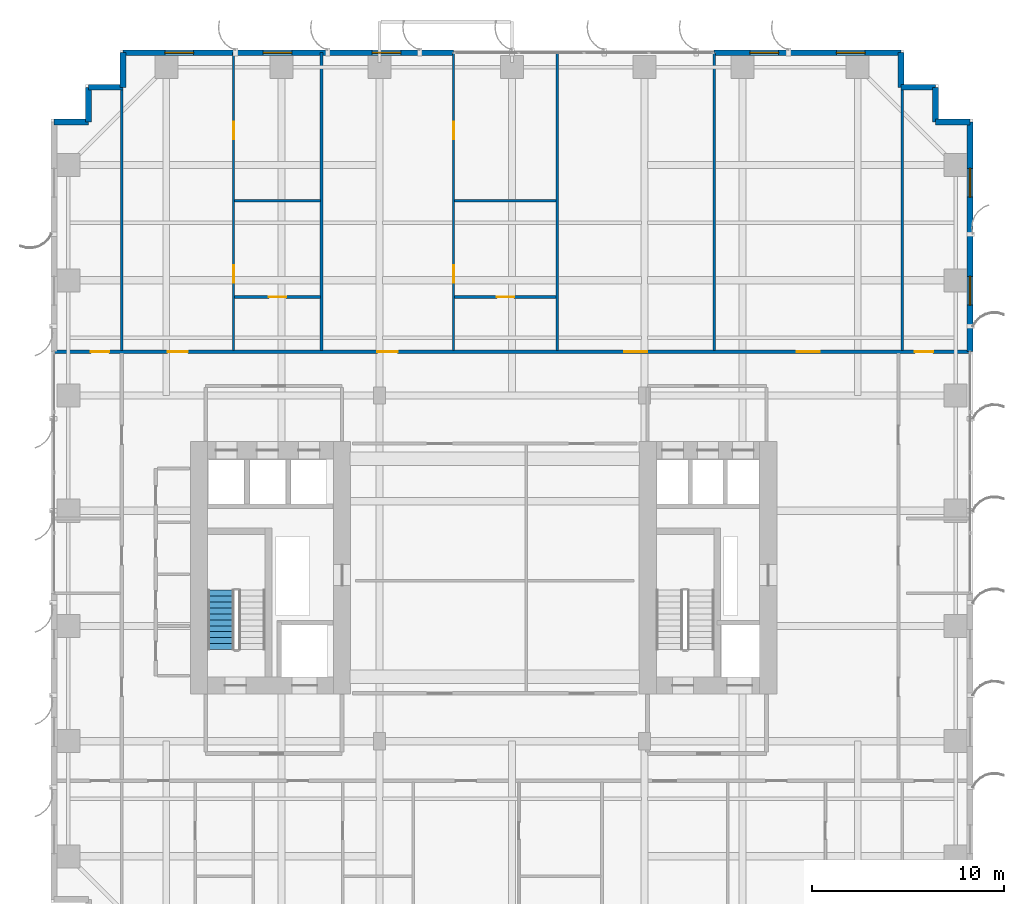
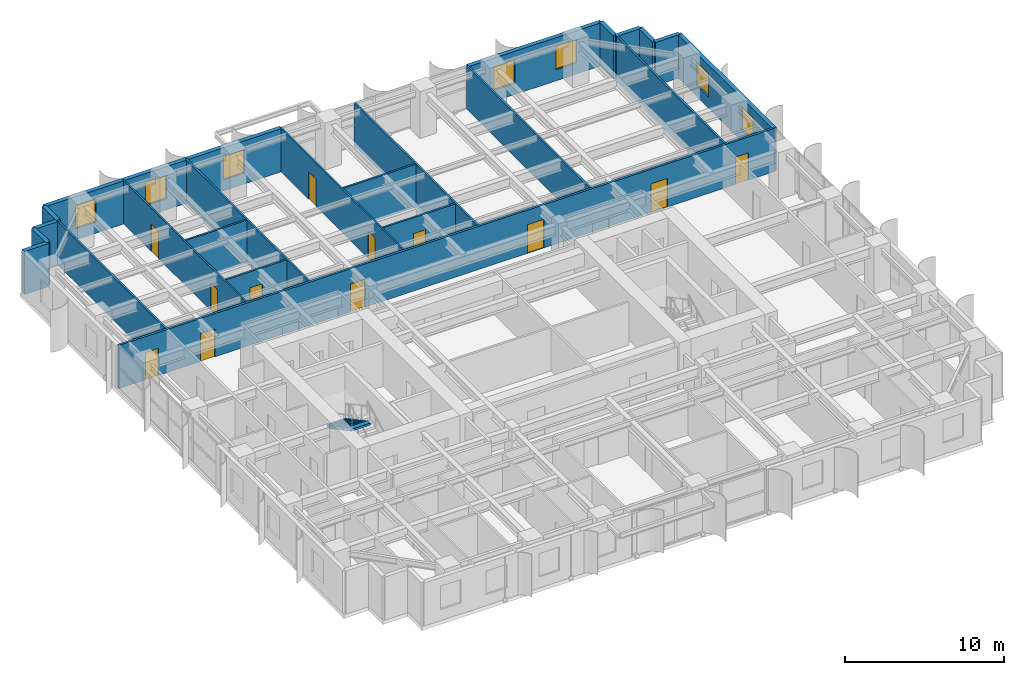
# One storey, part 18 of 22: 23 walls, 12 doors, 7 windows, 1 stair flight, 19 openings, 1 element without a shape of its own.
"""IFC4 building model written with IfcOpenShell, lengths in metres."""

from ifc_helpers import new_model, si_unit, direction, frame, frame_2d, origin, place, context, subcontext, project, spatial, polyline, rectangle, outline, extrude, source, transform, mapped, material, layer, layer_set, type_object, element, fill, aggregate, save


model = new_model("IFC4")

# Units and contexts
model_context = context("Model", 3, precision=1e-05, world=origin(), true_north=direction((0.0, 1.0)))
body_context = subcontext(model_context, "Body", "Model", "MODEL_VIEW")
ifc_project = project(units=[si_unit("LENGTHUNIT", "METRE"), si_unit("AREAUNIT", "SQUARE_METRE"), si_unit("VOLUMEUNIT", "CUBIC_METRE"), si_unit("PLANEANGLEUNIT", "RADIAN"), si_unit("MASSUNIT", "GRAM", prefix="KILO")], contexts=[model_context])

# Site, building, storey
site_placement = place(None, origin())
site = spatial("IfcSite", under=ifc_project, at=site_placement, CompositionType="ELEMENT")
building_placement = place(site_placement, origin())
building = spatial("IfcBuilding", under=site, at=building_placement, Name="Khoralis Quay Care Tower", CompositionType="ELEMENT")
storey_placement = place(building_placement, frame((0.0, 0.0, 44.10009765625)))
storey = spatial("IfcBuildingStorey", under=building, at=storey_placement, Name="L11", CompositionType="ELEMENT", Elevation=44.10009765625)

# Wall, openings, doors
ifc_material_1 = material(Name="Gypsum plasterboard on acoustic metal stud")
ifc_layer_1 = layer(ifc_material_1, 0.1650390625)
ifc_layer_set_1 = layer_set([ifc_layer_1], Name="Gypsum plasterboard on acoustic metal stud")
wall_type_1 = type_object("IfcWallType", Name="WL-CORR-165", PredefinedType="PARTITIONING", material=ifc_layer_set_1)
wall_1_placement = place(storey_placement, frame((0.14501953125, 32.280029296875, 0.0), z_axis=(0.0, 0.0, 1.0), x_axis=(1.0, 0.0, 0.0)))
wall_1 = element("IfcWall", 1, at=wall_1_placement, inside=storey, type_object=wall_type_1, Name="L11 North Main Corridor Wall", PredefinedType="PARTITIONING", context=body_context, shape_type="SweptSolid", body=[
    extrude(rectangle(XDim=47.7099609375, YDim=0.1650390625, at=frame_2d((23.85498046875, 0.0))), origin(), (0.0, 0.0, 1.0), 3.31982421875),
])
opening_1_placement = place(wall_1_placement, frame((5.922119140625, 0.0, 0.0)))
opening_1 = element("IfcOpeningElement", 2, at=opening_1_placement, cuts=wall_1, Name="Opening UD1", PredefinedType="OPENING", context=body_context, shape_type="SweptSolid", body=[
    extrude(rectangle(XDim=1.050048828125, YDim=2.14990234375, at=frame_2d((0.52490234375, 1.074951171875))), frame((0.0, 0.092529296875, 0.0), z_axis=(0.0, -1.0, 0.0), x_axis=(1.0, 0.0, 0.0)), (0.0, 0.0, 1.0), 0.18505859375),
])
opening_2_placement = place(wall_1_placement, frame((16.848388671875, 0.0, 0.0)))
opening_2 = element("IfcOpeningElement", 3, at=opening_2_placement, cuts=wall_1, Name="Opening UD1", PredefinedType="OPENING", context=body_context, shape_type="SweptSolid", body=[
    extrude(rectangle(XDim=1.050048828125, YDim=2.14990234375, at=frame_2d((0.52490234375, 1.074951171875))), frame((0.0, 0.092529296875, 0.0), z_axis=(0.0, -1.0, 0.0), x_axis=(1.0, 0.0, 0.0)), (0.0, 0.0, 1.0), 0.18505859375),
])
opening_3_placement = place(wall_1_placement, frame((29.699951171875, 0.0, 0.0)))
opening_3 = element("IfcOpeningElement", 4, at=opening_3_placement, cuts=wall_1, Name="Opening FD1", PredefinedType="OPENING", context=body_context, shape_type="SweptSolid", body=[
    extrude(rectangle(XDim=1.199951171875, YDim=2.199951171875, at=frame_2d((0.60009765625, 1.10009765625))), frame((0.0, 0.092529296875, 0.0), z_axis=(0.0, -1.0, 0.0), x_axis=(1.0, 0.0, 0.0)), (0.0, 0.0, 1.0), 0.18505859375),
])
opening_4_placement = place(wall_1_placement, frame((38.679931640625, 0.0, 0.0)))
opening_4 = element("IfcOpeningElement", 5, at=opening_4_placement, cuts=wall_1, Name="Opening FD1", PredefinedType="OPENING", context=body_context, shape_type="SweptSolid", body=[
    extrude(rectangle(XDim=1.199951171875, YDim=2.199951171875, at=frame_2d((0.60009765625, 1.10009765625))), frame((0.0, 0.092529296875, 0.0), z_axis=(0.0, -1.0, 0.0), x_axis=(1.0, 0.0, 0.0)), (0.0, 0.0, 1.0), 0.18505859375),
])
opening_5_placement = place(wall_1_placement, frame((1.919921875, 0.0, 0.0)))
opening_5 = element("IfcOpeningElement", 6, at=opening_5_placement, cuts=wall_1, Name="Opening ID1", PredefinedType="OPENING", context=body_context, shape_type="SweptSolid", body=[
    extrude(rectangle(XDim=0.949951171875, YDim=2.10009765625, at=frame_2d((0.47509765625, 1.050048828125))), frame((0.0, 0.092529296875, 0.0), z_axis=(0.0, -1.0, 0.0), x_axis=(1.0, 0.0, 0.0)), (0.0, 0.0, 1.0), 0.18505859375),
])
opening_6_placement = place(wall_1_placement, frame((44.840087890625, 0.0, 0.0)))
opening_6 = element("IfcOpeningElement", 7, at=opening_6_placement, cuts=wall_1, Name="Opening ID1", PredefinedType="OPENING", context=body_context, shape_type="SweptSolid", body=[
    extrude(rectangle(XDim=0.949951171875, YDim=2.10009765625, at=frame_2d((0.47509765625, 1.050048828125))), frame((0.0, 0.092529296875, 0.0), z_axis=(0.0, -1.0, 0.0), x_axis=(1.0, 0.0, 0.0)), (0.0, 0.0, 1.0), 0.18505859375),
])
ifc_material_2 = material(Name="Fire-rated painted steel", Category="steel")
door_type_1 = type_object("IfcDoorType", Name="DR-FFL-1200X2200", OperationType="NOTDEFINED", PredefinedType="DOOR", material=ifc_material_2)
shared_shape_1 = source(origin(), body_context, "Body", "SweptSolid", [
    extrude(rectangle(XDim=1.199951171875, YDim=2.199951171875, at=frame_2d((0.60009765625, 1.10009765625))), frame((0.0, 0.02490234375, 0.0), z_axis=(0.0, -1.0, 0.0), x_axis=(1.0, 0.0, 0.0)), (0.0, 0.0, 1.0), 0.050048828125),
])
door_1_placement = place(opening_3_placement, origin())
door_1 = element("IfcDoor", 8, at=door_1_placement, inside=storey, type_object=door_type_1, Name="L11 Assisted Communal Dining Room Door", OperationType="DOUBLE_DOOR_SINGLE_SWING", OverallHeight=2.199951171875, OverallWidth=1.199951171875, PredefinedType="DOOR", context=body_context, shape_type="MappedRepresentation", body=[
    mapped(shared_shape_1, transform((0.0, 0.0, 0.0), scale=1.0)),
])
fill(opening_3, door_1)
door_2_placement = place(opening_4_placement, origin())
door_2 = element("IfcDoor", 9, at=door_2_placement, inside=storey, type_object=door_type_1, Name="L11 Resident Communal Day Lounge Door", OperationType="DOUBLE_DOOR_SINGLE_SWING", OverallHeight=2.199951171875, OverallWidth=1.199951171875, PredefinedType="DOOR", context=body_context, shape_type="MappedRepresentation", body=[
    mapped(shared_shape_1, transform((0.0, 0.0, 0.0), scale=1.0)),
])
fill(opening_4, door_2)
ifc_material_3 = material(Name="Acoustic hardwood timber", Category="wood")
door_type_2 = type_object("IfcDoorType", Name="DR-ROOM-950X2100", OperationType="NOTDEFINED", PredefinedType="DOOR", material=ifc_material_3)
shared_shape_2 = source(origin(), body_context, "Body", "SweptSolid", [
    extrude(rectangle(XDim=0.949951171875, YDim=2.10009765625, at=frame_2d((0.47509765625, 1.050048828125))), frame((0.0, 0.02490234375, 0.0), z_axis=(0.0, -1.0, 0.0), x_axis=(1.0, 0.0, 0.0)), (0.0, 0.0, 1.0), 0.050048828125),
])
door_3_placement = place(opening_5_placement, origin())
door_3 = element("IfcDoor", 10, at=door_3_placement, inside=storey, type_object=door_type_2, Name="L11 NW Corner Door", OperationType="SINGLE_SWING_RIGHT", OverallHeight=2.10009765625, OverallWidth=0.949951171875, PredefinedType="DOOR", context=body_context, shape_type="MappedRepresentation", body=[
    mapped(shared_shape_2, transform((0.0, 0.0, 0.0), scale=1.0)),
])
fill(opening_5, door_3)
door_4_placement = place(opening_6_placement, origin())
door_4 = element("IfcDoor", 11, at=door_4_placement, inside=storey, type_object=door_type_2, Name="L11 NE Corner Door", OperationType="SINGLE_SWING_LEFT", OverallHeight=2.10009765625, OverallWidth=0.949951171875, PredefinedType="DOOR", context=body_context, shape_type="MappedRepresentation", body=[
    mapped(shared_shape_2, transform((0.0, 0.0, 0.0), scale=1.0)),
])
fill(opening_6, door_4)
door_type_3 = type_object("IfcDoorType", Name="DR-SUITE-1050X2150", OperationType="NOTDEFINED", PredefinedType="DOOR", material=ifc_material_3)
shared_shape_3 = source(origin(), body_context, "Body", "SweptSolid", [
    extrude(rectangle(XDim=1.050048828125, YDim=2.14990234375, at=frame_2d((0.52490234375, 1.074951171875))), frame((0.0, 0.02490234375, 0.0), z_axis=(0.0, -1.0, 0.0), x_axis=(1.0, 0.0, 0.0)), (0.0, 0.0, 1.0), 0.050048828125),
])
door_5_placement = place(opening_1_placement, origin())
door_5 = element("IfcDoor", 12, at=door_5_placement, inside=storey, type_object=door_type_3, Name="L11 Studio NB0 Entrance", OperationType="SINGLE_SWING_LEFT", OverallHeight=2.14990234375, OverallWidth=1.050048828125, PredefinedType="DOOR", context=body_context, shape_type="MappedRepresentation", body=[
    mapped(shared_shape_3, transform((0.0, 0.0, 0.0), scale=1.0)),
])
fill(opening_1, door_5)
door_6_placement = place(opening_2_placement, origin())
door_6 = element("IfcDoor", 13, at=door_6_placement, inside=storey, type_object=door_type_3, Name="L11 Studio NB1 Entrance", OperationType="SINGLE_SWING_RIGHT", OverallHeight=2.14990234375, OverallWidth=1.050048828125, PredefinedType="DOOR", context=body_context, shape_type="MappedRepresentation", body=[
    mapped(shared_shape_3, transform((0.0, 0.0, 0.0), scale=1.0)),
])
fill(opening_2, door_6)

# Wall, openings, windows
ifc_material_4 = material(Name="Precast concrete C45/55", Category="concrete")
ifc_layer_2 = layer(ifc_material_4, 0.300048828125)
ifc_layer_set_2 = layer_set([ifc_layer_2], Name="Precast concrete C45/55")
wall_type_2 = type_object("IfcWallType", Name="WL-EXT-REF-300", PredefinedType="SOLIDWALL", material=ifc_layer_set_2)
wall_2_placement = place(storey_placement, frame((47.85009765625, 32.280029296875, 0.0), z_axis=(0.0, 0.0, 1.0), x_axis=(0.0, 1.0, 0.0)))
wall_2 = element("IfcWall", 14, at=wall_2_placement, inside=storey, type_object=wall_type_2, Name="L11 External Facade Wall WL-EXT-L11-P1-E5B", PredefinedType="SOLIDWALL", context=body_context, shape_type="SweptSolid", body=[
    extrude(rectangle(XDim=11.969970703125, YDim=0.300048828125, at=frame_2d((5.98486328125, 0.0))), origin(), (0.0, 0.0, 1.0), 3.31982421875),
])
opening_7_placement = place(wall_2_placement, frame((2.422607421875, 0.0, 0.85009765625)))
opening_7 = element("IfcOpeningElement", 15, at=opening_7_placement, cuts=wall_2, Name="Opening W3", PredefinedType="OPENING", context=body_context, shape_type="SweptSolid", body=[
    extrude(rectangle(XDim=1.5, YDim=1.800048828125, at=frame_2d((0.75, 0.89990234375))), frame((0.0, 0.16015625, 0.0), z_axis=(0.0, -1.0, 0.0), x_axis=(1.0, 0.0, 0.0)), (0.0, 0.0, 1.0), 0.320068359375),
])
opening_8_placement = place(wall_2_placement, frame((8.047607421875, 0.0, 0.85009765625)))
opening_8 = element("IfcOpeningElement", 16, at=opening_8_placement, cuts=wall_2, Name="Opening W3", PredefinedType="OPENING", context=body_context, shape_type="SweptSolid", body=[
    extrude(rectangle(XDim=1.5, YDim=1.800048828125, at=frame_2d((0.75, 0.89990234375))), frame((0.0, 0.16015625, 0.0), z_axis=(0.0, -1.0, 0.0), x_axis=(1.0, 0.0, 0.0)), (0.0, 0.0, 1.0), 0.320068359375),
])
ifc_material_5 = material(Name="Low-E solar-control double glazing", Category="glass")
window_type = type_object("IfcWindowType", Name="WN-CLIN-1500X1800", PartitioningType="SINGLE_PANEL", PredefinedType="WINDOW", material=ifc_material_5)
shared_shape_4 = source(origin(), body_context, "Body", "SweptSolid", [
    extrude(rectangle(XDim=1.5, YDim=1.800048828125, at=frame_2d((0.75, 0.89990234375))), frame((0.0, 0.030029296875, 0.0), z_axis=(0.0, -1.0, 0.0), x_axis=(1.0, 0.0, 0.0)), (0.0, 0.0, 1.0), 0.06005859375),
])
window_1_placement = place(opening_7_placement, origin())
window_1 = element("IfcWindow", 17, at=window_1_placement, inside=storey, type_object=window_type, Name="WN-L11-P1-E5B Facade Window 01", OverallHeight=1.800048828125, OverallWidth=1.5, PartitioningType="SINGLE_PANEL", PredefinedType="WINDOW", context=body_context, shape_type="MappedRepresentation", body=[
    mapped(shared_shape_4, transform((0.0, 0.0, 0.0), scale=1.0)),
])
fill(opening_7, window_1)
window_2_placement = place(opening_8_placement, origin())
window_2 = element("IfcWindow", 18, at=window_2_placement, inside=storey, type_object=window_type, Name="WN-L11-P1-E5B Facade Window 02", OverallHeight=1.800048828125, OverallWidth=1.5, PartitioningType="SINGLE_PANEL", PredefinedType="WINDOW", context=body_context, shape_type="MappedRepresentation", body=[
    mapped(shared_shape_4, transform((0.0, 0.0, 0.0), scale=1.0)),
])
fill(opening_8, window_2)

# Walls
for number, where, z_axis, x_axis, name in (
    (19, (47.85009765625, 44.25, 0.0), (0.0, 0.0, 1.0), (-1.0, 0.0, 0.0), "L11 External Facade Wall WL-EXT-L11-P1-C6"),
    (20, (46.050048828125, 44.25, 0.0), (0.0, 0.0, 1.0), (0.0, 1.0, 0.0), "L11 External Facade Wall WL-EXT-L11-P1-C7"),
    (21, (46.050048828125, 46.050048828125, 0.0), (0.0, 0.0, 1.0), (-1.0, 0.0, 0.0), "L11 External Facade Wall WL-EXT-L11-P1-C8"),
    (22, (44.25, 46.050048828125, 0.0), (0.0, 0.0, 1.0), (0.0, 1.0, 0.0), "L11 External Facade Wall WL-EXT-L11-P1-C9"),
):
    element("IfcWall", number, at=place(storey_placement, frame(where, z_axis=z_axis, x_axis=x_axis)), inside=storey, type_object=wall_type_2, Name=name, PredefinedType="SOLIDWALL", context=body_context, shape_type="SweptSolid", body=[
        extrude(rectangle(XDim=1.800048828125, YDim=0.300048828125, at=frame_2d((0.89990234375, 0.0))), origin(), (0.0, 0.0, 1.0), 3.31982421875),
    ])

# Wall, openings, windows
wall_3_placement = place(storey_placement, frame((44.25, 47.85009765625, 0.0), z_axis=(0.0, 0.0, 1.0), x_axis=(-1.0, 0.0, 0.0)))
wall_3 = element("IfcWall", 23, at=wall_3_placement, inside=storey, type_object=wall_type_2, Name="L11 External Facade Wall WL-EXT-L11-P1-E10A", PredefinedType="SOLIDWALL", context=body_context, shape_type="SweptSolid", body=[
    extrude(rectangle(XDim=9.719970703125, YDim=0.300048828125, at=frame_2d((4.85986328125, 0.0))), origin(), (0.0, 0.0, 1.0), 3.31982421875),
])
opening_9_placement = place(wall_3_placement, frame((1.860107421875, 0.0, 0.85009765625)))
opening_9 = element("IfcOpeningElement", 24, at=opening_9_placement, cuts=wall_3, Name="Opening W3", PredefinedType="OPENING", context=body_context, shape_type="SweptSolid", body=[
    extrude(rectangle(XDim=1.5, YDim=1.800048828125, at=frame_2d((0.75, 0.89990234375))), frame((0.0, 0.16015625, 0.0), z_axis=(0.0, -1.0, 0.0), x_axis=(1.0, 0.0, 0.0)), (0.0, 0.0, 1.0), 0.320068359375),
])
opening_10_placement = place(wall_3_placement, frame((6.360107421875, 0.0, 0.85009765625)))
opening_10 = element("IfcOpeningElement", 25, at=opening_10_placement, cuts=wall_3, Name="Opening W3", PredefinedType="OPENING", context=body_context, shape_type="SweptSolid", body=[
    extrude(rectangle(XDim=1.5, YDim=1.800048828125, at=frame_2d((0.75, 0.89990234375))), frame((0.0, 0.16015625, 0.0), z_axis=(0.0, -1.0, 0.0), x_axis=(1.0, 0.0, 0.0)), (0.0, 0.0, 1.0), 0.320068359375),
])
window_3_placement = place(opening_9_placement, origin())
window_3 = element("IfcWindow", 26, at=window_3_placement, inside=storey, type_object=window_type, Name="WN-L11-P1-E10A Facade Window 01", OverallHeight=1.800048828125, OverallWidth=1.5, PartitioningType="SINGLE_PANEL", PredefinedType="WINDOW", context=body_context, shape_type="MappedRepresentation", body=[
    mapped(shared_shape_4, transform((0.0, 0.0, 0.0), scale=1.0)),
])
fill(opening_9, window_3)
window_4_placement = place(opening_10_placement, origin())
window_4 = element("IfcWindow", 27, at=window_4_placement, inside=storey, type_object=window_type, Name="WN-L11-P1-E10A Facade Window 02", OverallHeight=1.800048828125, OverallWidth=1.5, PartitioningType="SINGLE_PANEL", PredefinedType="WINDOW", context=body_context, shape_type="MappedRepresentation", body=[
    mapped(shared_shape_4, transform((0.0, 0.0, 0.0), scale=1.0)),
])
fill(opening_10, window_4)

wall_4_placement = place(storey_placement, frame((20.95703125, 47.85009765625, 0.0), z_axis=(0.0, 0.0, 1.0), x_axis=(-1.0, 0.0, 0.0)))
wall_4 = element("IfcWall", 28, at=wall_4_placement, inside=storey, type_object=wall_type_2, Name="L11 External Facade Wall WL-EXT-L11-P1-E10B", PredefinedType="SOLIDWALL", context=body_context, shape_type="SweptSolid", body=[
    extrude(rectangle(XDim=17.20703125, YDim=0.300048828125, at=frame_2d((8.603515625, 0.0))), origin(), (0.0, 0.0, 1.0), 3.31982421875),
])
opening_11_placement = place(wall_4_placement, frame((2.738525390625, 0.0, 0.85009765625)))
opening_11 = element("IfcOpeningElement", 29, at=opening_11_placement, cuts=wall_4, Name="Opening W3", PredefinedType="OPENING", context=body_context, shape_type="SweptSolid", body=[
    extrude(rectangle(XDim=1.5, YDim=1.800048828125, at=frame_2d((0.75, 0.89990234375))), frame((0.0, 0.16015625, 0.0), z_axis=(0.0, -1.0, 0.0), x_axis=(1.0, 0.0, 0.0)), (0.0, 0.0, 1.0), 0.320068359375),
])
opening_12_placement = place(wall_4_placement, frame((8.4150390625, 0.0, 0.85009765625)))
opening_12 = element("IfcOpeningElement", 30, at=opening_12_placement, cuts=wall_4, Name="Opening W3", PredefinedType="OPENING", context=body_context, shape_type="SweptSolid", body=[
    extrude(rectangle(XDim=1.5, YDim=1.800048828125, at=frame_2d((0.75, 0.89990234375))), frame((0.0, 0.16015625, 0.0), z_axis=(0.0, -1.0, 0.0), x_axis=(1.0, 0.0, 0.0)), (0.0, 0.0, 1.0), 0.320068359375),
])
opening_13_placement = place(wall_4_placement, frame((13.530029296875, 0.0, 0.85009765625)))
opening_13 = element("IfcOpeningElement", 31, at=opening_13_placement, cuts=wall_4, Name="Opening W3", PredefinedType="OPENING", context=body_context, shape_type="SweptSolid", body=[
    extrude(rectangle(XDim=1.5, YDim=1.800048828125, at=frame_2d((0.75, 0.89990234375))), frame((0.0, 0.16015625, 0.0), z_axis=(0.0, -1.0, 0.0), x_axis=(1.0, 0.0, 0.0)), (0.0, 0.0, 1.0), 0.320068359375),
])
window_5_placement = place(opening_11_placement, origin())
window_5 = element("IfcWindow", 32, at=window_5_placement, inside=storey, type_object=window_type, Name="WN-L11-P1-E10B Facade Window 01", OverallHeight=1.800048828125, OverallWidth=1.5, PartitioningType="SINGLE_PANEL", PredefinedType="WINDOW", context=body_context, shape_type="MappedRepresentation", body=[
    mapped(shared_shape_4, transform((0.0, 0.0, 0.0), scale=1.0)),
])
fill(opening_11, window_5)
window_6_placement = place(opening_12_placement, origin())
window_6 = element("IfcWindow", 33, at=window_6_placement, inside=storey, type_object=window_type, Name="WN-L11-P1-E10B Facade Window 02", OverallHeight=1.800048828125, OverallWidth=1.5, PartitioningType="SINGLE_PANEL", PredefinedType="WINDOW", context=body_context, shape_type="MappedRepresentation", body=[
    mapped(shared_shape_4, transform((0.0, 0.0, 0.0), scale=1.0)),
])
fill(opening_12, window_6)
window_7_placement = place(opening_13_placement, origin())
window_7 = element("IfcWindow", 34, at=window_7_placement, inside=storey, type_object=window_type, Name="WN-L11-P1-E10B Facade Window 03", OverallHeight=1.800048828125, OverallWidth=1.5, PartitioningType="SINGLE_PANEL", PredefinedType="WINDOW", context=body_context, shape_type="MappedRepresentation", body=[
    mapped(shared_shape_4, transform((0.0, 0.0, 0.0), scale=1.0)),
])
fill(opening_13, window_7)

# Walls
for number, where, z_axis, x_axis, name in (
    (35, (3.75, 47.85009765625, 0.0), (0.0, 0.0, 1.0), (0.0, -1.0, 0.0), "L11 External Facade Wall WL-EXT-L11-P1-C11"),
    (36, (3.75, 46.050048828125, 0.0), (0.0, 0.0, 1.0), (-1.0, 0.0, 0.0), "L11 External Facade Wall WL-EXT-L11-P1-C12"),
    (37, (1.949951171875, 46.050048828125, 0.0), (0.0, 0.0, 1.0), (0.0, -1.0, 0.0), "L11 External Facade Wall WL-EXT-L11-P1-C13"),
    (38, (1.949951171875, 44.25, 0.0), (0.0, 0.0, 1.0), (-1.0, 0.0, 0.0), "L11 External Facade Wall WL-EXT-L11-P1-C14"),
):
    element("IfcWall", number, at=place(storey_placement, frame(where, z_axis=z_axis, x_axis=x_axis)), inside=storey, type_object=wall_type_2, Name=name, PredefinedType="SOLIDWALL", context=body_context, shape_type="SweptSolid", body=[
        extrude(rectangle(XDim=1.800048828125, YDim=0.300048828125, at=frame_2d((0.89990234375, 0.0))), origin(), (0.0, 0.0, 1.0), 3.31982421875),
    ])

# Wall, openings, doors
ifc_layer_3 = layer(ifc_material_1, 0.114990234375)
ifc_layer_set_3 = layer_set([ifc_layer_3], Name="Gypsum plasterboard on acoustic metal stud")
wall_type_3 = type_object("IfcWallType", Name="WL-PART-115", PredefinedType="PARTITIONING", material=ifc_layer_set_3)
wall_5_placement = place(storey_placement, frame((9.50390625, 32.357421875, 0.0), z_axis=(0.0, 0.0, 1.0), x_axis=(0.0, 1.0, 0.0)))
wall_5 = element("IfcWall", 39, at=wall_5_placement, inside=storey, type_object=wall_type_3, Name="L11 Studio 0 Internal Wall", PredefinedType="PARTITIONING", context=body_context, shape_type="SweptSolid", body=[
    extrude(rectangle(XDim=15.49755859375, YDim=0.114990234375, at=frame_2d((7.748779296875, 0.0))), origin(), (0.0, 0.0, 1.0), 3.31982421875),
])
opening_14_placement = place(wall_5_placement, frame((10.987548828125, 0.0, 0.0)))
opening_14 = element("IfcOpeningElement", 40, at=opening_14_placement, cuts=wall_5, Name="Opening WD1", PredefinedType="OPENING", context=body_context, shape_type="SweptSolid", body=[
    extrude(rectangle(XDim=0.89990234375, YDim=2.10009765625, at=frame_2d((0.449951171875, 1.050048828125))), frame((0.0, 0.0673828125, 0.0), z_axis=(0.0, -1.0, 0.0), x_axis=(1.0, 0.0, 0.0)), (0.0, 0.0, 1.0), 0.135009765625),
])
opening_15_placement = place(wall_5_placement, frame((3.517578125, 0.0, 0.0)))
opening_15 = element("IfcOpeningElement", 41, at=opening_15_placement, cuts=wall_5, Name="Opening WD1", PredefinedType="OPENING", context=body_context, shape_type="SweptSolid", body=[
    extrude(rectangle(XDim=0.89990234375, YDim=2.10009765625, at=frame_2d((0.449951171875, 1.050048828125))), frame((0.0, 0.0673828125, 0.0), z_axis=(0.0, -1.0, 0.0), x_axis=(1.0, 0.0, 0.0)), (0.0, 0.0, 1.0), 0.135009765625),
])
door_type_4 = type_object("IfcDoorType", Name="DR-BATH-900X2100", OperationType="NOTDEFINED", PredefinedType="DOOR", material=ifc_material_3)
shared_shape_5 = source(origin(), body_context, "Body", "SweptSolid", [
    extrude(rectangle(XDim=0.89990234375, YDim=2.10009765625, at=frame_2d((0.449951171875, 1.050048828125))), frame((0.0, 0.02490234375, 0.0), z_axis=(0.0, -1.0, 0.0), x_axis=(1.0, 0.0, 0.0)), (0.0, 0.0, 1.0), 0.050048828125),
])
door_7_placement = place(opening_14_placement, frame((0.89990234375, 0.0, 0.0), z_axis=(0.0, 0.0, 1.0), x_axis=(-1.0, 0.0, 0.0)))
door_7 = element("IfcDoor", 42, at=door_7_placement, inside=storey, type_object=door_type_4, Name="L11 Studio SKT Door", OperationType="SINGLE_SWING_RIGHT", OverallHeight=2.10009765625, OverallWidth=0.89990234375, PredefinedType="DOOR", context=body_context, shape_type="MappedRepresentation", body=[
    mapped(shared_shape_5, transform((0.0, 0.0, 0.0), scale=1.0)),
])
fill(opening_14, door_7)
door_8_placement = place(opening_15_placement, frame((0.89990234375, 0.0, 0.0), z_axis=(0.0, 0.0, 1.0), x_axis=(-1.0, 0.0, 0.0)))
door_8 = element("IfcDoor", 43, at=door_8_placement, inside=storey, type_object=door_type_4, Name="L11 Studio SBH Door", OperationType="SINGLE_SWING_LEFT", OverallHeight=2.10009765625, OverallWidth=0.89990234375, PredefinedType="DOOR", context=body_context, shape_type="MappedRepresentation", body=[
    mapped(shared_shape_5, transform((0.0, 0.0, 0.0), scale=1.0)),
])
fill(opening_15, door_8)

wall_6_placement = place(storey_placement, frame((20.95703125, 32.357421875, 0.0), z_axis=(0.0, 0.0, 1.0), x_axis=(0.0, 1.0, 0.0)))
wall_6 = element("IfcWall", 44, at=wall_6_placement, inside=storey, type_object=wall_type_3, Name="L11 Studio 1 Internal Wall", PredefinedType="PARTITIONING", context=body_context, shape_type="SweptSolid", body=[
    extrude(rectangle(XDim=15.49755859375, YDim=0.114990234375, at=frame_2d((7.748779296875, 0.0))), origin(), (0.0, 0.0, 1.0), 3.31982421875),
])
opening_16_placement = place(wall_6_placement, frame((10.987548828125, 0.0, 0.0)))
opening_16 = element("IfcOpeningElement", 45, at=opening_16_placement, cuts=wall_6, Name="Opening WD1", PredefinedType="OPENING", context=body_context, shape_type="SweptSolid", body=[
    extrude(rectangle(XDim=0.89990234375, YDim=2.10009765625, at=frame_2d((0.449951171875, 1.050048828125))), frame((0.0, 0.0673828125, 0.0), z_axis=(0.0, -1.0, 0.0), x_axis=(1.0, 0.0, 0.0)), (0.0, 0.0, 1.0), 0.135009765625),
])
opening_17_placement = place(wall_6_placement, frame((3.517578125, 0.0, 0.0)))
opening_17 = element("IfcOpeningElement", 46, at=opening_17_placement, cuts=wall_6, Name="Opening WD1", PredefinedType="OPENING", context=body_context, shape_type="SweptSolid", body=[
    extrude(rectangle(XDim=0.89990234375, YDim=2.10009765625, at=frame_2d((0.449951171875, 1.050048828125))), frame((0.0, 0.0673828125, 0.0), z_axis=(0.0, -1.0, 0.0), x_axis=(1.0, 0.0, 0.0)), (0.0, 0.0, 1.0), 0.135009765625),
])
door_9_placement = place(opening_16_placement, frame((0.89990234375, 0.0, 0.0), z_axis=(0.0, 0.0, 1.0), x_axis=(-1.0, 0.0, 0.0)))
door_9 = element("IfcDoor", 47, at=door_9_placement, inside=storey, type_object=door_type_4, Name="L11 Studio SKT Door", OperationType="SINGLE_SWING_LEFT", OverallHeight=2.10009765625, OverallWidth=0.89990234375, PredefinedType="DOOR", context=body_context, shape_type="MappedRepresentation", body=[
    mapped(shared_shape_5, transform((0.0, 0.0, 0.0), scale=1.0)),
])
fill(opening_16, door_9)
door_10_placement = place(opening_17_placement, frame((0.89990234375, 0.0, 0.0), z_axis=(0.0, 0.0, 1.0), x_axis=(-1.0, 0.0, 0.0)))
door_10 = element("IfcDoor", 48, at=door_10_placement, inside=storey, type_object=door_type_4, Name="L11 Studio SBH Door", OperationType="SINGLE_SWING_RIGHT", OverallHeight=2.10009765625, OverallWidth=0.89990234375, PredefinedType="DOOR", context=body_context, shape_type="MappedRepresentation", body=[
    mapped(shared_shape_5, transform((0.0, 0.0, 0.0), scale=1.0)),
])
fill(opening_17, door_10)

# Walls
ifc_material_6 = material(Name="Moisture-resistant gypsum and ceramic tile")
ifc_layer_4 = layer(ifc_material_6, 0.280029296875)
ifc_layer_set_4 = layer_set([ifc_layer_4], Name="Moisture-resistant gypsum and ceramic tile")
wall_type_4 = type_object("IfcWallType", Name="WL-PLUMB-280", PredefinedType="PLUMBINGWALL", material=ifc_layer_set_4)
wall_7_placement = place(storey_placement, frame((9.556396484375, 40.139892578125, 0.0), z_axis=(0.0, 0.0, 1.0), x_axis=(1.0, 0.0, 0.0)))
element("IfcWall", 49, at=wall_7_placement, inside=storey, type_object=wall_type_4, Name="L11 Studio 0 Wet Split", PredefinedType="PLUMBINGWALL", context=body_context, shape_type="SweptSolid", body=[
    extrude(rectangle(XDim=4.45849609375, YDim=0.139892578125, at=frame_2d((2.229248046875, 0.0))), origin(), (0.0, 0.0, 1.0), 3.31982421875),
])
wall_8_placement = place(storey_placement, frame((21.009521484375, 40.139892578125, 0.0), z_axis=(0.0, 0.0, 1.0), x_axis=(1.0, 0.0, 0.0)))
element("IfcWall", 50, at=wall_8_placement, inside=storey, type_object=wall_type_4, Name="L11 Studio 1 Wet Split", PredefinedType="PLUMBINGWALL", context=body_context, shape_type="SweptSolid", body=[
    extrude(rectangle(XDim=5.285400390625, YDim=0.139892578125, at=frame_2d((2.642578125, 0.0))), origin(), (0.0, 0.0, 1.0), 3.31982421875),
])
ifc_layer_5 = layer(ifc_material_1, 0.139892578125)
ifc_layer_set_5 = layer_set([ifc_layer_5], Name="Gypsum plasterboard on acoustic metal stud")
wall_type_5 = type_object("IfcWallType", Name="WL-UNIT-140", PredefinedType="PARTITIONING", material=ifc_layer_set_5)
wall_9_placement = place(storey_placement, frame((3.679931640625, 32.357421875, 0.0), z_axis=(0.0, 0.0, 1.0), x_axis=(0.0, 1.0, 0.0)))
element("IfcWall", 51, at=wall_9_placement, inside=storey, type_object=wall_type_5, Name="L11 NB Demising Wall 0", PredefinedType="PARTITIONING", context=body_context, shape_type="SweptSolid", body=[
    extrude(rectangle(XDim=13.697509765625, YDim=0.139892578125, at=frame_2d((6.8486328125, 0.0))), origin(), (0.0, 0.0, 1.0), 3.31982421875),
])
for number, where, z_axis, x_axis, name in (
    (52, (14.080078125, 32.357421875, 0.0), (0.0, 0.0, 1.0), (0.0, 1.0, 0.0), "L11 NB Demising Wall 1"),
    (53, (26.360107421875, 32.357421875, 0.0), (0.0, 0.0, 1.0), (0.0, 1.0, 0.0), "L11 NB Demising Wall 2"),
    (54, (34.530029296875, 32.357421875, 0.0), (0.0, 0.0, 1.0), (0.0, 1.0, 0.0), "L11 NB Demising Wall 3"),
):
    element("IfcWall", number, at=place(storey_placement, frame(where, z_axis=z_axis, x_axis=x_axis)), inside=storey, type_object=wall_type_5, Name=name, PredefinedType="PARTITIONING", context=body_context, shape_type="SweptSolid", body=[
        extrude(rectangle(XDim=15.49755859375, YDim=0.139892578125, at=frame_2d((7.748779296875, 0.0))), origin(), (0.0, 0.0, 1.0), 3.31982421875),
    ])
wall_10_placement = place(storey_placement, frame((44.320068359375, 32.357421875, 0.0), z_axis=(0.0, 0.0, 1.0), x_axis=(0.0, 1.0, 0.0)))
element("IfcWall", 55, at=wall_10_placement, inside=storey, type_object=wall_type_5, Name="L11 NB Demising Wall 4", PredefinedType="PARTITIONING", context=body_context, shape_type="SweptSolid", body=[
    extrude(rectangle(XDim=13.697509765625, YDim=0.139892578125, at=frame_2d((6.8486328125, 0.0))), origin(), (0.0, 0.0, 1.0), 3.31982421875),
])

# Wall, opening, door
wall_11_placement = place(storey_placement, frame((9.556396484375, 35.1298828125, 0.0), z_axis=(0.0, 0.0, 1.0), x_axis=(1.0, 0.0, 0.0)))
wall_11 = element("IfcWall", 56, at=wall_11_placement, inside=storey, type_object=wall_type_5, Name="Studio Bathroom L11-NB0 Sub-Partition", PredefinedType="PARTITIONING", context=body_context, shape_type="SweptSolid", body=[
    extrude(rectangle(XDim=4.45849609375, YDim=0.139892578125, at=frame_2d((2.229248046875, 0.0))), origin(), (0.0, 0.0, 1.0), 3.31982421875),
])
opening_18_placement = place(wall_11_placement, frame((1.785400390625, 0.0, 0.0)))
opening_18 = element("IfcOpeningElement", 57, at=opening_18_placement, cuts=wall_11, Name="Opening WD1", PredefinedType="OPENING", context=body_context, shape_type="SweptSolid", body=[
    extrude(rectangle(XDim=0.89990234375, YDim=2.10009765625, at=frame_2d((0.449951171875, 1.050048828125))), frame((0.0, 0.080078125, 0.0), z_axis=(0.0, -1.0, 0.0), x_axis=(1.0, 0.0, 0.0)), (0.0, 0.0, 1.0), 0.159912109375),
])
door_11_placement = place(opening_18_placement, origin())
door_11 = element("IfcDoor", 58, at=door_11_placement, inside=storey, type_object=door_type_4, Name="Linen & Utility Closet SBH0 Door", OperationType="SINGLE_SWING_LEFT", OverallHeight=2.10009765625, OverallWidth=0.89990234375, PredefinedType="DOOR", context=body_context, shape_type="MappedRepresentation", body=[
    mapped(shared_shape_5, transform((0.0, 0.0, 0.0), scale=1.0)),
])
fill(opening_18, door_11)

wall_12_placement = place(storey_placement, frame((21.009521484375, 35.1298828125, 0.0), z_axis=(0.0, 0.0, 1.0), x_axis=(1.0, 0.0, 0.0)))
wall_12 = element("IfcWall", 59, at=wall_12_placement, inside=storey, type_object=wall_type_5, Name="Studio Bathroom L11-NB1 Sub-Partition", PredefinedType="PARTITIONING", context=body_context, shape_type="SweptSolid", body=[
    extrude(rectangle(XDim=5.285400390625, YDim=0.139892578125, at=frame_2d((2.642578125, 0.0))), origin(), (0.0, 0.0, 1.0), 3.31982421875),
])
opening_19_placement = place(wall_12_placement, frame((2.198974609375, 0.0, 0.0)))
opening_19 = element("IfcOpeningElement", 60, at=opening_19_placement, cuts=wall_12, Name="Opening WD1", PredefinedType="OPENING", context=body_context, shape_type="SweptSolid", body=[
    extrude(rectangle(XDim=0.89990234375, YDim=2.10009765625, at=frame_2d((0.449951171875, 1.050048828125))), frame((0.0, 0.080078125, 0.0), z_axis=(0.0, -1.0, 0.0), x_axis=(1.0, 0.0, 0.0)), (0.0, 0.0, 1.0), 0.159912109375),
])
door_12_placement = place(opening_19_placement, origin())
door_12 = element("IfcDoor", 61, at=door_12_placement, inside=storey, type_object=door_type_4, Name="Linen & Utility Closet SBH1 Door", OperationType="SINGLE_SWING_LEFT", OverallHeight=2.10009765625, OverallWidth=0.89990234375, PredefinedType="DOOR", context=body_context, shape_type="MappedRepresentation", body=[
    mapped(shared_shape_5, transform((0.0, 0.0, 0.0), scale=1.0)),
])
fill(opening_19, door_12)

# Stair, stair flight
stair_type = type_object("IfcStairType", Name="ST-TWR-DOGLEG-1400", PredefinedType="HALF_TURN_STAIR", material=ifc_material_4)
stair_placement = place(storey_placement, origin())
stair = element("IfcStair", 62, at=stair_placement, inside=storey, type_object=stair_type, Name="L11 West Core Exit Stair ST-T1", PredefinedType="HALF_TURN_STAIR")
stair_flight_type = type_object("IfcStairFlightType", Name="SF-TWR-1400", PredefinedType="STRAIGHT", material=ifc_material_4)
shared_shape_6 = source(origin(), body_context, "Body", "SweptSolid", [
    extrude(outline(polyline([(0.0, 0.0), (0.0, 0.16357421875), (0.31005859375, 0.16357421875), (0.31005859375, 0.327392578125), (0.6201171875, 0.327392578125), (0.6201171875, 0.490966796875), (0.929931640625, 0.490966796875), (0.929931640625, 0.654541015625), (1.239990234375, 0.654541015625), (1.239990234375, 0.818115234375), (1.550048828125, 0.818115234375), (1.550048828125, 0.98193359375), (1.860107421875, 0.98193359375), (1.860107421875, 1.1455078125), (2.169921875, 1.1455078125), (2.169921875, 1.30908203125), (2.47998046875, 1.30908203125), (2.47998046875, 1.47265625), (2.7900390625, 1.47265625), (2.7900390625, 1.636474609375), (3.10009765625, 1.636474609375), (3.10009765625, 1.800048828125), (3.10009765625, 1.466796875), (0.321044921875, 0.0), (0.0, 0.0)])), frame((0.0, 0.68994140625, 0.0), z_axis=(0.0, -1.0, 0.0), x_axis=(1.0, 0.0, 0.0)), (0.0, 0.0, 1.0), 1.3798828125),
])
stair_flight_placement = place(storey_placement, frame((8.840087890625, 19.8701171875, 1.7998046875), z_axis=(0.0, 0.0, 1.0), x_axis=(0.0, -1.0, 0.0)))
stair_flight = element("IfcStairFlight", 63, at=stair_flight_placement, type_object=stair_flight_type, Name="ST-T1 flight 2", NumberOfRisers=11, NumberOfTreads=10, PredefinedType="STRAIGHT", RiserHeight=0.163636364, TreadLength=0.31, context=body_context, shape_type="MappedRepresentation", body=[
    mapped(shared_shape_6, transform((0.0, 0.0, 0.0), scale=1.0)),
])
aggregate(stair, [stair_flight])

save(model, "model.ifc")
